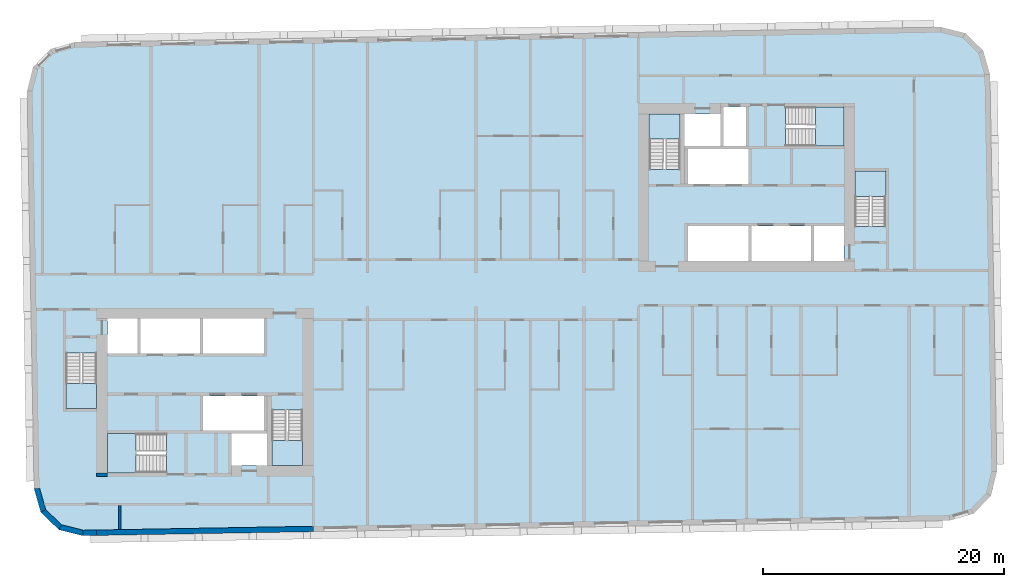
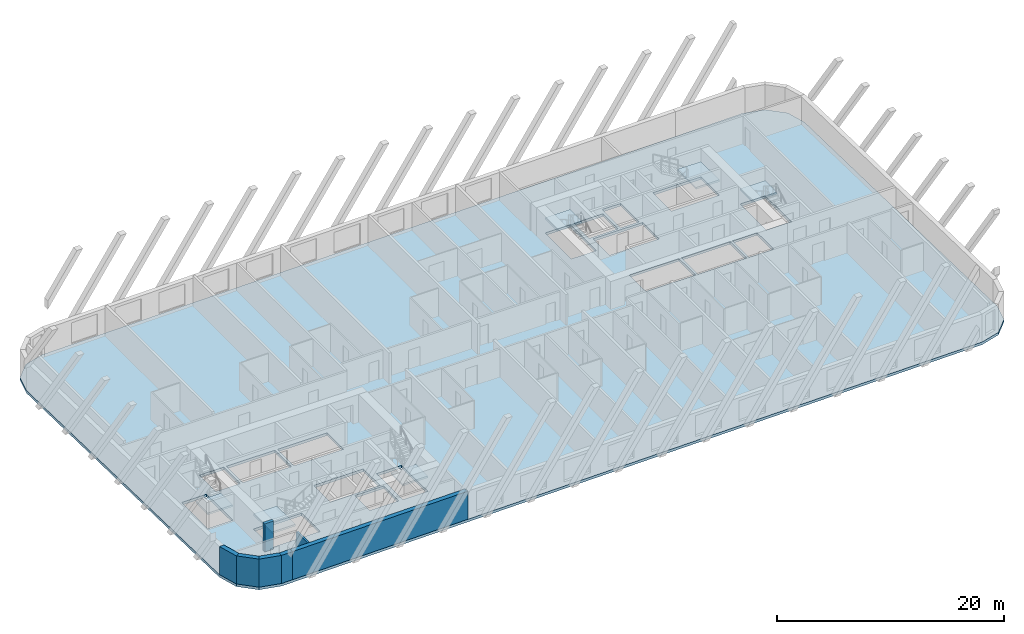
# One storey, part 1 of 12: 7 slabs, 7 walls, 6 elements without a shape of their own.
"""IFC4 building model written with IfcOpenShell, lengths in metres."""

import ifcopenshell
import ifcopenshell.guid

model = None  # the IFC model being written
_history = None  # IfcOwnerHistory: only IFC2X3 demands one
_inside = {}  # id of a spatial element -> (the spatial element, [elements in it])
_under = {}  # id of a project, library or spatial element -> (it, [spatial elements below it])
_declared = {}  # id of a project -> (the project, [libraries it declares])
_typed = {}  # id of a type object -> (the type object, [elements of that type])
_made_of = {}  # id of a material, layer set ... -> (it, [elements and type objects made of it])


def new_model(schema):
    """Start an empty IFC model of exactly this schema.

    Asked for "IFC4X3", IfcOpenShell would pick the latest addendum, in which some entities
    have other attributes; the version numbers below select the first issue.
    IFC2X3 requires an IfcOwnerHistory on every rooted entity: one is made here for all.
    """
    global model, _history
    if schema == "IFC4X3":
        model = ifcopenshell.file(schema_version=(4, 3, 0, 0))
    else:
        model = ifcopenshell.file(schema=schema)
    _inside.clear()
    _under.clear()
    _declared.clear()
    _typed.clear()
    _made_of.clear()
    _history = None
    if model.schema == "IFC2X3":
        org = make("IfcOrganization", Name="unknown")
        user = make(
            "IfcPersonAndOrganization",
            ThePerson=make("IfcPerson", FamilyName="unknown"),
            TheOrganization=org,
        )
        app = make(
            "IfcApplication",
            ApplicationDeveloper=org,
            Version="unknown",
            ApplicationFullName="unknown",
            ApplicationIdentifier="unknown",
        )
        _history = make(
            "IfcOwnerHistory",
            OwningUser=user,
            OwningApplication=app,
            ChangeAction="ADDED",
            CreationDate=0,
        )
    return model


def make(cls, **values):
    """One entity of the class cls with the attributes given. An attribute that is None is left unset."""
    return model.create_entity(
        cls, **{name: value for name, value in values.items() if value is not None}
    )


def rooted(cls, **values):
    """An entity with a GlobalId (a new one), such as an element, a storey or a relation."""
    return make(cls, GlobalId=ifcopenshell.guid.new(), OwnerHistory=_history, **values)


def si_unit(unit_type, name, prefix=None):
    """IfcSIUnit, for example si_unit("LENGTHUNIT", "METRE", prefix="MILLI")."""
    return make("IfcSIUnit", UnitType=unit_type, Prefix=prefix, Name=name)


def assignment(units):
    """IfcUnitAssignment: the units of a project."""
    return None if units is None else make("IfcUnitAssignment", Units=units)


def point(xyz):
    """IfcCartesianPoint."""
    return None if xyz is None else make("IfcCartesianPoint", Coordinates=xyz)


def direction(xyz):
    """IfcDirection."""
    return None if xyz is None else make("IfcDirection", DirectionRatios=xyz)


def frame(location, z_axis=None, x_axis=None):
    """IfcAxis2Placement3D, a coordinate frame: its origin and axes. An axis left out is left unset."""
    return make(
        "IfcAxis2Placement3D",
        Location=point(location),
        Axis=direction(z_axis),
        RefDirection=direction(x_axis),
    )


def frame_2d(location, x_axis=None):
    """IfcAxis2Placement2D, a coordinate frame in the plane: its origin and x axis."""
    return make(
        "IfcAxis2Placement2D", Location=point(location), RefDirection=direction(x_axis)
    )


def origin():
    """The frame at (0, 0, 0) with its axes left unset."""
    return frame((0.0, 0.0, 0.0))


def place(relative_to, where):
    """IfcLocalPlacement: puts the frame where relative to a parent placement (None: the world)."""
    return make(
        "IfcLocalPlacement", PlacementRelTo=relative_to, RelativePlacement=where
    )


def context(
    kind, dimensions, precision=None, world=None, true_north=None, identifier=None
):
    """IfcGeometricRepresentationContext, for example the 3D "Model" context."""
    return make(
        "IfcGeometricRepresentationContext",
        ContextIdentifier=identifier,
        ContextType=kind,
        CoordinateSpaceDimension=dimensions,
        Precision=precision,
        WorldCoordinateSystem=world,
        TrueNorth=true_north,
    )


def subcontext(parent, identifier, kind, view, scale=None):
    """IfcGeometricRepresentationSubContext, for example "Body" below "Model"."""
    return make(
        "IfcGeometricRepresentationSubContext",
        ContextIdentifier=identifier,
        ContextType=kind,
        ParentContext=parent,
        TargetScale=scale,
        TargetView=view,
    )


def project(units=None, contexts=None):
    """IfcProject with its units and contexts."""
    return rooted(
        "IfcProject",
        Name="project",
        RepresentationContexts=contexts,
        UnitsInContext=assignment(units),
    )


def spatial(cls, under=None, at=None, **own):
    """A site, building, storey or space (cls), placed at a placement, below another one or the project."""
    s = rooted(cls, ObjectPlacement=at, **own)
    if under is not None:
        _under.setdefault(under.id(), (under, []))[1].append(s)
    return s


def polyline(points):
    """IfcPolyline through the points."""
    return make("IfcPolyline", Points=[point(p) for p in points])


def profile(cls, at=None, kind="AREA", **sizes):
    """A parametric profile (cls). Its sizes go by their IFC names, for example OverallWidth=200.0."""
    return make(cls, ProfileType=kind, Position=at, **sizes)


def rectangle(**sizes):
    """IfcRectangleProfileDef."""
    return profile("IfcRectangleProfileDef", **sizes)


def outline(outer, holes=None, kind="AREA"):
    """IfcArbitraryClosedProfileDef: a profile drawn as a closed curve; with holes, ...WithVoids."""
    if holes is None:
        return make("IfcArbitraryClosedProfileDef", ProfileType=kind, OuterCurve=outer)
    return make(
        "IfcArbitraryProfileDefWithVoids",
        ProfileType=kind,
        OuterCurve=outer,
        InnerCurves=holes,
    )


def extrude(swept, where, along, depth):
    """IfcExtrudedAreaSolid: the profile swept, set in the frame where, extruded along a direction by depth."""
    return make(
        "IfcExtrudedAreaSolid",
        SweptArea=swept,
        Position=where,
        ExtrudedDirection=direction(along),
        Depth=depth,
    )


def shape(context_of_items, identifier, shape_type, items):
    """IfcShapeRepresentation: the items that make up one representation, for example the "Body"."""
    return make(
        "IfcShapeRepresentation",
        ContextOfItems=context_of_items,
        RepresentationIdentifier=identifier,
        RepresentationType=shape_type,
        Items=items,
    )


def material(Name=None, Category=None):
    """IfcMaterial."""
    return make("IfcMaterial", Name=Name, Category=Category)


def layer(
    of_material, thickness, ventilated=None, Name=None, Category=None, Priority=None
):
    """IfcMaterialLayer: one layer of a wall or slab, of a material (None: an air gap)."""
    return make(
        "IfcMaterialLayer",
        Material=of_material,
        LayerThickness=thickness,
        IsVentilated=ventilated,
        Name=Name,
        Category=Category,
        Priority=Priority,
    )


def layer_set(layers, Name=None):
    """IfcMaterialLayerSet."""
    return make("IfcMaterialLayerSet", MaterialLayers=layers, LayerSetName=Name)


def made_of(thing, what):
    """Note that an element or type object is made of a material, layer set ...; save() writes the relation."""
    if what is not None:
        _made_of.setdefault(what.id(), (what, []))[1].append(thing)
    return thing


def type_object(cls, material=None, **own):
    """A type object (cls), such as IfcWallType, which elements share."""
    return made_of(rooted(cls, **own), material)


def element(
    cls,
    number,
    at=None,
    inside=None,
    cuts=None,
    type_object=None,
    material=None,
    context=None,
    identifier="Body",
    shape_type=None,
    held_by="IfcProductDefinitionShape",
    body=None,
    shapes=None,
    **own,
):
    """One element of the class cls, such as IfcWall. Its Tag is "e" and its number.

    at: its placement. inside: the storey or other place that contains it. cuts: it is an
    opening in that element (IfcRelVoidsElement). A single representation is given by context,
    identifier, shape_type and body (its items); several are given by shapes. held_by: the class
    of the entity that holds the representations. save() writes the other relations.
    """
    e = rooted(cls, Tag="e%d" % number, ObjectPlacement=at, **own)
    if body is not None:
        shapes = [shape(context, identifier, shape_type, body)]
    if shapes is not None:
        e.Representation = make(held_by, Representations=shapes)
    if inside is not None:
        _inside.setdefault(inside.id(), (inside, []))[1].append(e)
    if cuts is not None:
        rooted(
            "IfcRelVoidsElement", RelatingBuildingElement=cuts, RelatedOpeningElement=e
        )
    if type_object is not None:
        _typed.setdefault(type_object.id(), (type_object, []))[1].append(e)
    return made_of(e, material)


def aggregate(whole, parts):
    """IfcRelAggregates: a whole, such as a stair, and the parts it consists of."""
    return rooted("IfcRelAggregates", RelatingObject=whole, RelatedObjects=parts)


def save(model, path):
    """Write the relations noted so far, then the file.

    IfcRelAggregates (storeys below a building ...), IfcRelContainedInSpatialStructure (elements
    in a storey), IfcRelDefinesByType, IfcRelAssociatesMaterial and IfcRelDeclares: one each for
    every whole, place, type object, material and project.
    """
    for whole, parts in _under.values():
        aggregate(whole, parts)
    for where, things in _inside.values():
        rooted(
            "IfcRelContainedInSpatialStructure",
            RelatedElements=things,
            RelatingStructure=where,
        )
    for kind, things in _typed.values():
        rooted("IfcRelDefinesByType", RelatedObjects=things, RelatingType=kind)
    for what, things in _made_of.values():
        rooted("IfcRelAssociatesMaterial", RelatedObjects=things, RelatingMaterial=what)
    for by, libraries in _declared.values():
        rooted("IfcRelDeclares", RelatingContext=by, RelatedDefinitions=libraries)
    model.write(path)


model = new_model("IFC4")

# Units and contexts
model_context = context("Model", 3, precision=1e-05, world=origin(), true_north=direction((0.0, 1.0)))
body_context = subcontext(model_context, "Body", "Model", "MODEL_VIEW")
ifc_project = project(units=[si_unit("LENGTHUNIT", "METRE"), si_unit("AREAUNIT", "SQUARE_METRE"), si_unit("VOLUMEUNIT", "CUBIC_METRE"), si_unit("PLANEANGLEUNIT", "RADIAN"), si_unit("MASSUNIT", "GRAM", prefix="KILO")], contexts=[model_context])

# Site, building, storey
site_placement = place(None, origin())
site = spatial("IfcSite", under=ifc_project, at=site_placement, CompositionType="ELEMENT")
building_placement = place(site_placement, origin())
building = spatial("IfcBuilding", under=site, at=building_placement, Name="Kajstack Hotel Tower", CompositionType="ELEMENT")
storey_placement = place(building_placement, frame((0.0, 0.0, 227.60009765625)))
storey = spatial("IfcBuildingStorey", under=building, at=storey_placement, Name="L55", CompositionType="ELEMENT", Elevation=227.60009765625)

# Slab
ifc_material_1 = material(Name="Concrete C40/50", Category="concrete")
ifc_layer_1 = layer(ifc_material_1, 0.280029296875)
ifc_layer_set_1 = layer_set([ifc_layer_1], Name="RC slab 280 C40/50 guest")
slab_type_1 = type_object("IfcSlabType", Name="RC slab 280 C40/50 guest", PredefinedType="FLOOR", material=ifc_layer_set_1)
slab_1_placement = place(storey_placement, frame((0.0, 0.0, -0.280029296875)))
element("IfcSlab", 1, at=slab_1_placement, inside=storey, type_object=slab_type_1, Name="S-slab-L55", PredefinedType="FLOOR", context=body_context, shape_type="SweptSolid", body=[
    extrude(outline(polyline([(-37.281982421875, 16.49951171875), (-36.705810546875, -16.49560546875), (-36.13525390625, -18.48583984375), (-34.645751953125, -19.92431640625), (-32.63671875, -20.42529296875), (39.352294921875, -19.168701171875), (41.342529296875, -18.597900390625), (42.781005859375, -17.1083984375), (43.281982421875, -15.099365234375), (42.705810546875, 17.8955078125), (42.13525390625, 19.885986328125), (40.645751953125, 21.32421875), (38.63671875, 21.8251953125), (-33.352294921875, 20.568603515625), (-35.342529296875, 19.997802734375), (-36.781005859375, 18.50830078125), (-37.281982421875, 16.49951171875)]), holes=[polyline([(-22.64990234375, -11.699951171875), (-22.64990234375, -8.800048828125), (-17.60009765625, -8.800048828125), (-17.60009765625, -11.699951171875), (-22.64990234375, -11.699951171875)]), polyline([(-27.85009765625, -5.300048828125), (-27.85009765625, -2.39990234375), (-22.89990234375, -2.39990234375), (-22.89990234375, -5.300048828125), (-27.85009765625, -5.300048828125)]), polyline([(-22.64990234375, -5.300048828125), (-22.64990234375, -2.39990234375), (-17.60009765625, -2.39990234375), (-17.60009765625, -5.300048828125), (-22.64990234375, -5.300048828125)]), polyline([(-20.300048828125, -14.60009765625), (-17.35009765625, -14.60009765625), (-17.35009765625, -11.949951171875), (-20.300048828125, -11.949951171875), (-20.300048828125, -14.60009765625)]), polyline([(-30.60009765625, -5.300048828125), (-28.10009765625, -5.300048828125), (-28.10009765625, -2.39990234375), (-30.60009765625, -2.39990234375), (-30.60009765625, -5.300048828125)]), polyline([(17.60009765625, 8.800048828125), (17.60009765625, 11.699951171875), (22.64990234375, 11.699951171875), (22.64990234375, 8.800048828125), (17.60009765625, 8.800048828125)]), polyline([(22.89990234375, 2.39990234375), (22.89990234375, 5.300048828125), (27.85009765625, 5.300048828125), (27.85009765625, 2.39990234375), (22.89990234375, 2.39990234375)]), polyline([(17.60009765625, 2.39990234375), (17.60009765625, 5.300048828125), (22.64990234375, 5.300048828125), (22.64990234375, 2.39990234375), (17.60009765625, 2.39990234375)]), polyline([(20.300048828125, 14.60009765625), (17.35009765625, 14.60009765625), (17.35009765625, 11.949951171875), (20.300048828125, 11.949951171875), (20.300048828125, 14.60009765625)]), polyline([(30.60009765625, 5.300048828125), (28.10009765625, 5.300048828125), (28.10009765625, 2.39990234375), (30.60009765625, 2.39990234375), (30.60009765625, 5.300048828125)]), polyline([(-34.050048828125, -9.85009765625), (-31.5, -9.85009765625), (-31.5, -5.25), (-34.050048828125, -5.25), (-34.050048828125, -9.85009765625)]), polyline([(-16.949951171875, -14.60009765625), (-14.39990234375, -14.60009765625), (-14.39990234375, -10.0), (-16.949951171875, -10.0), (-16.949951171875, -14.60009765625)]), polyline([(-30.60009765625, -15.199951171875), (-25.699951171875, -15.199951171875), (-25.699951171875, -11.949951171875), (-30.60009765625, -11.949951171875), (-30.60009765625, -15.199951171875)]), polyline([(34.050048828125, 9.85009765625), (31.5, 9.85009765625), (31.5, 5.25), (34.050048828125, 5.25), (34.050048828125, 9.85009765625)]), polyline([(16.949951171875, 14.60009765625), (14.39990234375, 14.60009765625), (14.39990234375, 10.0), (16.949951171875, 10.0), (16.949951171875, 14.60009765625)]), polyline([(30.60009765625, 15.199951171875), (25.699951171875, 15.199951171875), (25.699951171875, 11.949951171875), (30.60009765625, 11.949951171875), (30.60009765625, 15.199951171875)]), polyline([(22.425048828125, 15.199951171875), (22.425048828125, 11.949951171875), (20.550048828125, 11.949951171875), (20.550048828125, 15.199951171875), (22.425048828125, 15.199951171875)])]), origin(), (0.0, 0.0, 1.0), 0.280029296875),
])

# Stair, slab
stair_type_1 = type_object("IfcStairType", Name="Exit stair 1200", PredefinedType="HALF_TURN_STAIR", material=ifc_material_1)
stair_1_placement = place(storey_placement, origin())
stair_1 = element("IfcStair", 2, at=stair_1_placement, inside=storey, type_object=stair_type_1, Name="L55 stair W1", PredefinedType="HALF_TURN_STAIR")
ifc_layer_2 = layer(ifc_material_1, 0.199951171875)
ifc_layer_set_2 = layer_set([ifc_layer_2], Name="Stair landing 200")
slab_type_2 = type_object("IfcSlabType", Name="Stair landing 200", PredefinedType="LANDING", material=ifc_layer_set_2)
slab_2_placement = place(storey_placement, frame((0.0, 0.0, 1.449951171875)))
slab_2 = element("IfcSlab", 3, at=slab_2_placement, type_object=slab_type_2, Name="W1 landing 1", PredefinedType="LANDING", context=body_context, shape_type="SweptSolid", body=[
    extrude(outline(polyline([(-34.050048828125, -7.77001953125), (-34.050048828125, -9.85009765625), (-31.5, -9.85009765625), (-31.5, -7.77001953125), (-34.050048828125, -7.77001953125)])), origin(), (0.0, 0.0, 1.0), 0.199951171875),
])
aggregate(stair_1, [slab_2])

stair_2_placement = place(storey_placement, origin())
stair_2 = element("IfcStair", 4, at=stair_2_placement, inside=storey, type_object=stair_type_1, Name="L55 stair W2", PredefinedType="HALF_TURN_STAIR")
slab_3_placement = place(storey_placement, frame((0.0, 0.0, 1.449951171875)))
slab_3 = element("IfcSlab", 5, at=slab_3_placement, type_object=slab_type_2, Name="W2 landing 1", PredefinedType="LANDING", context=body_context, shape_type="SweptSolid", body=[
    extrude(outline(polyline([(-16.949951171875, -12.52001953125), (-16.949951171875, -14.60009765625), (-14.39990234375, -14.60009765625), (-14.39990234375, -12.52001953125), (-16.949951171875, -12.52001953125)])), origin(), (0.0, 0.0, 1.0), 0.199951171875),
])
aggregate(stair_2, [slab_3])

stair_type_2 = type_object("IfcStairType", Name="Exit stair 1500", PredefinedType="HALF_TURN_STAIR", material=ifc_material_1)
stair_3_placement = place(storey_placement, origin())
stair_3 = element("IfcStair", 6, at=stair_3_placement, inside=storey, type_object=stair_type_2, Name="L55 stair W3", PredefinedType="HALF_TURN_STAIR")
slab_4_placement = place(storey_placement, frame((0.0, 0.0, 1.449951171875)))
slab_4 = element("IfcSlab", 7, at=slab_4_placement, type_object=slab_type_2, Name="W3 landing 1", PredefinedType="LANDING", context=body_context, shape_type="SweptSolid", body=[
    extrude(outline(polyline([(-28.219970703125, -11.949951171875), (-30.60009765625, -11.949951171875), (-30.60009765625, -15.199951171875), (-28.219970703125, -15.199951171875), (-28.219970703125, -11.949951171875)])), origin(), (0.0, 0.0, 1.0), 0.199951171875),
])
aggregate(stair_3, [slab_4])

stair_4_placement = place(storey_placement, origin())
stair_4 = element("IfcStair", 8, at=stair_4_placement, inside=storey, type_object=stair_type_1, Name="L55 stair E1", PredefinedType="HALF_TURN_STAIR")
slab_5_placement = place(storey_placement, frame((0.0, 0.0, 1.449951171875)))
slab_5 = element("IfcSlab", 9, at=slab_5_placement, type_object=slab_type_2, Name="E1 landing 1", PredefinedType="LANDING", context=body_context, shape_type="SweptSolid", body=[
    extrude(outline(polyline([(34.050048828125, 7.77001953125), (34.050048828125, 9.85009765625), (31.5, 9.85009765625), (31.5, 7.77001953125), (34.050048828125, 7.77001953125)])), origin(), (0.0, 0.0, 1.0), 0.199951171875),
])
aggregate(stair_4, [slab_5])

stair_5_placement = place(storey_placement, origin())
stair_5 = element("IfcStair", 10, at=stair_5_placement, inside=storey, type_object=stair_type_1, Name="L55 stair E2", PredefinedType="HALF_TURN_STAIR")
slab_6_placement = place(storey_placement, frame((0.0, 0.0, 1.449951171875)))
slab_6 = element("IfcSlab", 11, at=slab_6_placement, type_object=slab_type_2, Name="E2 landing 1", PredefinedType="LANDING", context=body_context, shape_type="SweptSolid", body=[
    extrude(outline(polyline([(16.949951171875, 12.52001953125), (16.949951171875, 14.60009765625), (14.39990234375, 14.60009765625), (14.39990234375, 12.52001953125), (16.949951171875, 12.52001953125)])), origin(), (0.0, 0.0, 1.0), 0.199951171875),
])
aggregate(stair_5, [slab_6])

stair_6_placement = place(storey_placement, origin())
stair_6 = element("IfcStair", 12, at=stair_6_placement, inside=storey, type_object=stair_type_2, Name="L55 stair E3", PredefinedType="HALF_TURN_STAIR")
slab_7_placement = place(storey_placement, frame((0.0, 0.0, 1.449951171875)))
slab_7 = element("IfcSlab", 13, at=slab_7_placement, type_object=slab_type_2, Name="E3 landing 1", PredefinedType="LANDING", context=body_context, shape_type="SweptSolid", body=[
    extrude(outline(polyline([(28.219970703125, 11.949951171875), (30.60009765625, 11.949951171875), (30.60009765625, 15.199951171875), (28.219970703125, 15.199951171875), (28.219970703125, 11.949951171875)])), origin(), (0.0, 0.0, 1.0), 0.199951171875),
])
aggregate(stair_6, [slab_7])

# Walls
ifc_material_2 = material(Name="Concrete C60/75", Category="concrete")
ifc_layer_3 = layer(ifc_material_2, 0.89990234375)
ifc_layer_set_3 = layer_set([ifc_layer_3], Name="Core wall 900")
wall_type_1 = type_object("IfcWallType", Name="Core wall 900", PredefinedType="SHEAR", material=ifc_layer_set_3)
wall_1_placement = place(storey_placement, frame((-31.5, -15.35009765625, 0.0), z_axis=(0.0, 0.0, 1.0), x_axis=(1.0, 0.0, 0.0)))
element("IfcWall", 14, at=wall_1_placement, inside=storey, type_object=wall_type_1, Name="Core wall W RSW", PredefinedType="SHEAR", context=body_context, shape_type="SweptSolid", body=[
    extrude(rectangle(XDim=0.89990234375, YDim=0.300048828125, at=frame_2d((0.449951171875, 0.0))), origin(), (0.0, 0.0, 1.0), 3.02001953125),
])
ifc_layer_4 = layer(ifc_material_1, 0.449951171875)
ifc_layer_set_4 = layer_set([ifc_layer_4], Name="EW-CORE")
wall_type_2 = type_object("IfcWallType", Name="EW-CORE", PredefinedType="SOLIDWALL", material=ifc_layer_set_4)
wall_2_placement = place(storey_placement, frame((-31.50390625, -20.180419921875, 0.0), z_axis=(0.0, 0.0, 1.0), x_axis=(0.999847677887, 0.017453395744, 0.0)))
element("IfcWall", 15, at=wall_2_placement, inside=storey, type_object=wall_type_2, Name="E-wall-L55-04-01", PredefinedType="SOLIDWALL", context=body_context, shape_type="SweptSolid", body=[
    extrude(rectangle(XDim=18.002685546875, YDim=0.449951171875, at=frame_2d((9.00146484375, 0.0))), origin(), (0.0, 0.0, 1.0), 3.02001953125),
])
ifc_material_3 = material(Name="Terracotta-faced brick masonry", Category="masonry")
ifc_layer_5 = layer(ifc_material_3, 0.449951171875)
ifc_layer_set_5 = layer_set([ifc_layer_5], Name="EW-TERRA")
wall_type_3 = type_object("IfcWallType", Name="EW-TERRA", PredefinedType="SOLIDWALL", material=ifc_layer_set_5)
wall_3_placement = place(storey_placement, frame((-36.489501953125, -16.43359375, 0.0), z_axis=(0.0, 0.0, 1.0), x_axis=(0.275577603096, -0.961278827745, 0.0)))
element("IfcWall", 16, at=wall_3_placement, inside=storey, type_object=wall_type_3, Name="E-wall-L55-01-00", PredefinedType="SOLIDWALL", context=body_context, shape_type="SweptSolid", body=[
    extrude(outline(polyline([(0.0, -0.22509765625), (2.070556640625, -0.22509765625), (1.949951171875, 0.22509765625), (0.12060546875, 0.224853515625), (0.0, -0.22509765625)])), origin(), (0.0, 0.0, 1.0), 3.02001953125),
])
wall_4_placement = place(storey_placement, frame((-35.97900390625, -18.323974609375, 0.0), z_axis=(0.0, 0.0, 1.0), x_axis=(0.719320193998, -0.694678672846, 0.0)))
element("IfcWall", 17, at=wall_4_placement, inside=storey, type_object=wall_type_3, Name="E-wall-L55-02-00", PredefinedType="SOLIDWALL", context=body_context, shape_type="SweptSolid", body=[
    extrude(outline(polyline([(0.000244140625, -0.22509765625), (2.07080078125, -0.22509765625), (1.9501953125, 0.22509765625), (0.12060546875, 0.22509765625), (0.000244140625, -0.22509765625)])), origin(), (0.0, 0.0, 1.0), 3.02001953125),
])
wall_5_placement = place(storey_placement, frame((-34.59130859375, -19.7060546875, 0.0), z_axis=(0.0, 0.0, 1.0), x_axis=(0.970315655375, -0.241841950319, 0.0)))
element("IfcWall", 18, at=wall_5_placement, inside=storey, type_object=wall_type_3, Name="E-wall-L55-03-00", PredefinedType="SOLIDWALL", context=body_context, shape_type="SweptSolid", body=[
    extrude(outline(polyline([(0.0, -0.224853515625), (2.070556640625, -0.22509765625), (1.949951171875, 0.224853515625), (0.12060546875, 0.22509765625), (0.0, -0.224853515625)])), origin(), (0.0, 0.0, 1.0), 3.02001953125),
])
wall_6_placement = place(storey_placement, frame((-32.640625, -20.2001953125, 0.0), z_axis=(0.0, 0.0, 1.0), x_axis=(0.99984870815, 0.017394275206, 0.0)))
element("IfcWall", 19, at=wall_6_placement, inside=storey, type_object=wall_type_3, Name="E-wall-L55-04-00", PredefinedType="SOLIDWALL", context=body_context, shape_type="SweptSolid", body=[
    extrude(rectangle(XDim=1.136962890625, YDim=0.449951171875, at=frame_2d((0.568359375, 0.0))), origin(), (0.0, 0.0, 1.0), 3.02001953125),
])
ifc_material_4 = material(Name="Gypsum board on steel studs, mineral wool", Category="steel")
ifc_layer_6 = layer(ifc_material_4, 0.199951171875)
ifc_layer_set_6 = layer_set([ifc_layer_6], Name="Service partition 200")
wall_type_4 = type_object("IfcWallType", Name="Service partition 200", PredefinedType="PARTITIONING", material=ifc_layer_set_6)
wall_7_placement = place(storey_placement, frame((-29.60009765625, -19.92236328125, 0.0), z_axis=(0.0, 0.0, 1.0), x_axis=(0.0, 1.0, 0.0)))
element("IfcWall", 20, at=wall_7_placement, inside=storey, type_object=wall_type_4, Name="Partition W SLP0", PredefinedType="PARTITIONING", context=body_context, shape_type="SweptSolid", body=[
    extrude(rectangle(XDim=2.0224609375, YDim=0.199951171875, at=frame_2d((1.01123046875, 0.0))), origin(), (0.0, 0.0, 1.0), 3.02001953125),
])

save(model, "model.ifc")
